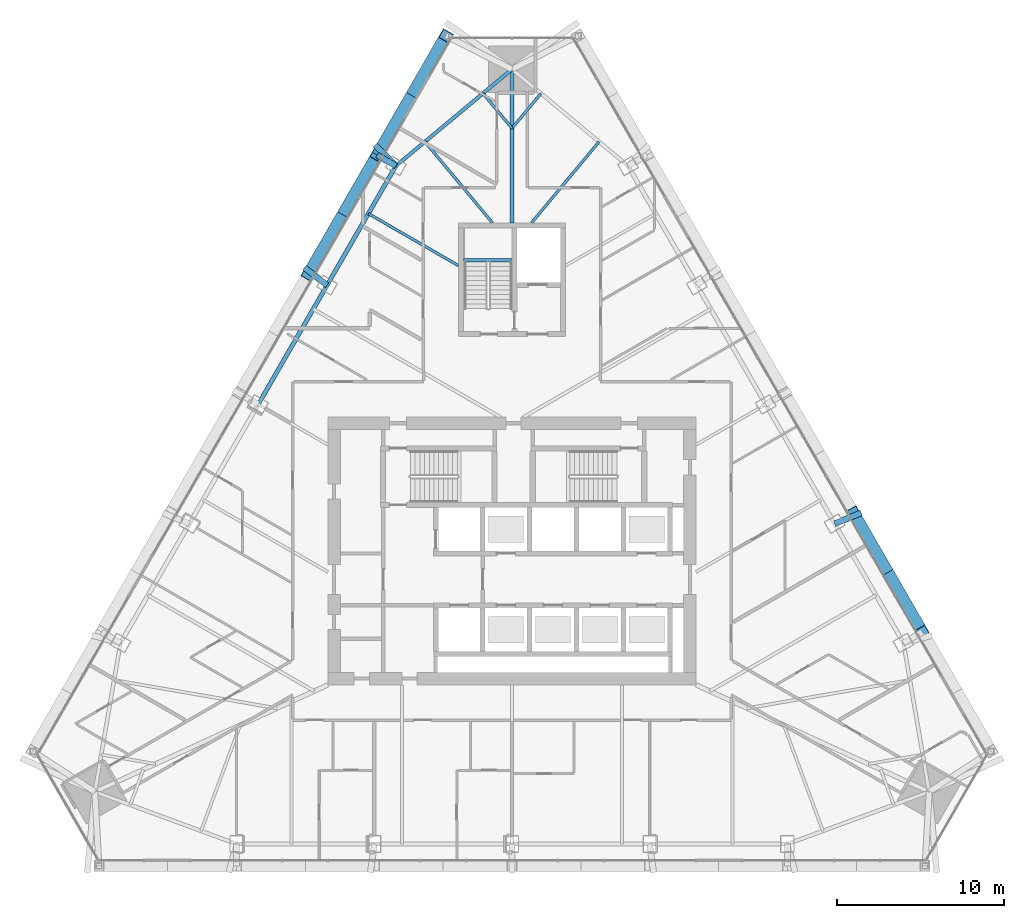
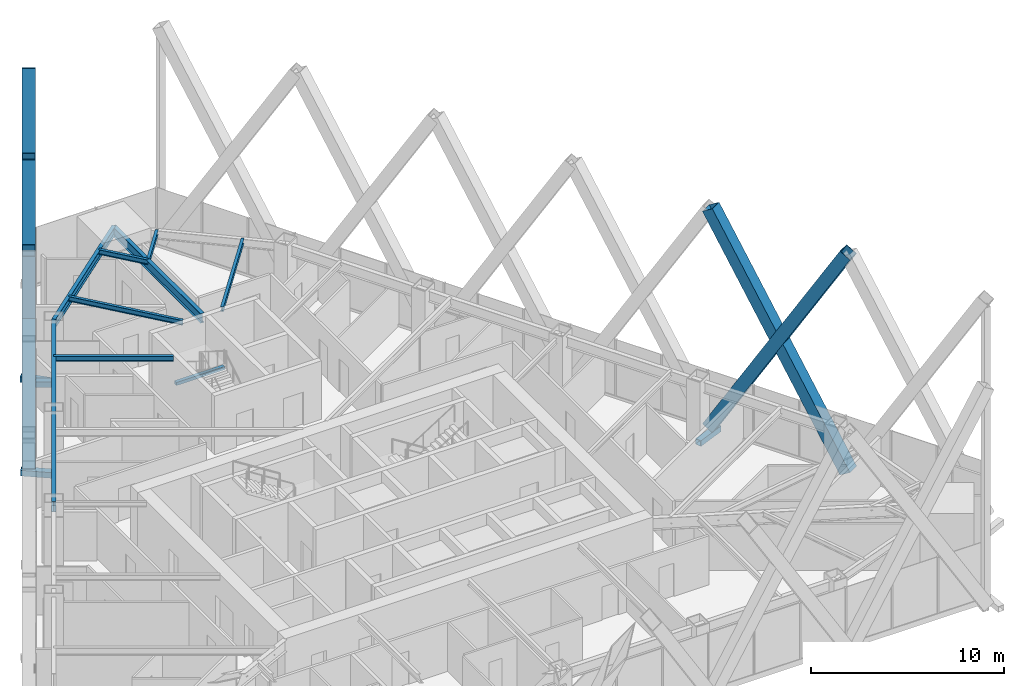
# One storey, part 10 of 19: 10 members, 9 beams.
"""IFC4 building model written with IfcOpenShell, lengths in metres."""

from ifc_helpers import new_model, si_unit, direction, frame, origin, origin_2d, place, context, subcontext, project, spatial, rectangle, hollow_rectangle, i_section, extrude, material, material_profile, profile_set, type_object, element, save


model = new_model("IFC4")

# Units and contexts
model_context = context("Model", 3, precision=1e-05, world=origin(), true_north=direction((0.0, 1.0)))
body_context = subcontext(model_context, "Body", "Model", "MODEL_VIEW")
ifc_project = project(units=[si_unit("LENGTHUNIT", "METRE"), si_unit("AREAUNIT", "SQUARE_METRE"), si_unit("VOLUMEUNIT", "CUBIC_METRE"), si_unit("PLANEANGLEUNIT", "RADIAN"), si_unit("MASSUNIT", "GRAM", prefix="KILO")], contexts=[model_context])

# Site, building, storey
site_placement = place(None, origin())
site = spatial("IfcSite", under=ifc_project, at=site_placement, CompositionType="ELEMENT")
building_placement = place(site_placement, origin())
building = spatial("IfcBuilding", under=site, at=building_placement, Name="Firuza Gate Tower and Library", CompositionType="ELEMENT")
storey_placement = place(building_placement, frame((0.0, 0.0, 233.800048828125)))
storey = spatial("IfcBuildingStorey", under=building, at=storey_placement, Name="L55", CompositionType="ELEMENT", Elevation=233.800048828125)

# Members
ifc_material_1 = material(Name="Steel S355", Category="steel")
ifc_material_profile_1 = material_profile(ifc_material_1, hollow_rectangle(XDim=0.699951171875, YDim=0.699951171875, WallThickness=0.030029296875, at=origin_2d()))
ifc_profile_set_1 = profile_set([ifc_material_profile_1], Name="Steel S355")
member_type_1 = type_object("IfcMemberType", Name="BU700x700x30 Lattice brace", PredefinedType="BRACE", material=ifc_profile_set_1)
for number, where, z_axis, x_axis, name in (
    (1, (99.51025390625, 70.155029296875, 0.0), (-0.256001119482, 0.443405002033, 0.858985116865), (-0.866024454709, -0.500001643842, 0.0), "Lattice brace E 13.2R"),
    (2, (95.3974609375, 77.278564453125, 0.0), (0.256001119482, -0.443405002033, 0.858985116865), (0.866024454709, 0.500001643842, 0.0), "Lattice brace E 13.2L"),
    (3, (71.0537109375, 105.772705078125, 0.0), (-0.256001119482, -0.443405002033, 0.858985116865), (0.866024454709, -0.500001643842, 0.0), "Lattice brace W 13.1R"),
    (4, (66.94091796875, 98.649169921875, 0.0), (0.256001119482, 0.443405002033, 0.858985116865), (-0.866024454709, 0.500001643842, 0.0), "Lattice brace W 13.1L"),
    (5, (66.94091796875, 98.649169921875, 0.0), (-0.256001119482, -0.443405002033, 0.858985116865), (0.866024454709, -0.500001643842, 0.0), "Lattice brace W 13.2R"),
    (6, (62.828125, 91.525634765625, 0.0), (0.256001119482, 0.443405002033, 0.858985116865), (-0.866024454709, 0.500001643842, 0.0), "Lattice brace W 13.2L"),
):
    element("IfcMember", number, at=place(storey_placement, frame(where, z_axis=z_axis, x_axis=x_axis)), inside=storey, type_object=member_type_1, Name=name, PredefinedType="BRACE", context=body_context, shape_type="SweptSolid", body=[
        extrude(hollow_rectangle(XDim=0.699951171875, YDim=0.699951171875, WallThickness=0.030029296875, at=origin_2d()), origin(), (0.0, 0.0, 1.0), 16.0654296875),
    ])
ifc_material_2 = material(Name="Steel S355", Category="steel")
ifc_material_profile_2 = material_profile(ifc_material_2, hollow_rectangle(XDim=0.355712890625, YDim=0.355712890625, WallThickness=0.014892578125, at=origin_2d()))
ifc_profile_set_2 = profile_set([ifc_material_profile_2], Name="Steel S355")
member_type_2 = type_object("IfcMemberType", Name="HSS356x356x16 Lattice node tie", PredefinedType="BRACE", material=ifc_profile_set_2)
for number, where, z_axis, x_axis, name in (
    (7, (94.271728515625, 76.62841796875, -0.320068359375), (0.925269902354, 0.379309382692, 0.0), (-0.379309382692, 0.925269902354, 0.0), "Lattice node tie E L55 295"),
    (8, (63.953857421875, 90.87548828125, -0.320068359375), (-0.791059417133, 0.611739322396, 0.0), (-0.611739322396, -0.791059417133, 0.0), "Lattice node tie W L55 317"),
):
    element("IfcMember", number, at=place(storey_placement, frame(where, z_axis=z_axis, x_axis=x_axis)), inside=storey, type_object=member_type_2, Name=name, PredefinedType="BRACE", context=body_context, shape_type="SweptSolid", body=[
        extrude(hollow_rectangle(XDim=0.355712890625, YDim=0.355712890625, WallThickness=0.014892578125, at=origin_2d()), origin(), (0.0, 0.0, 1.0), 1.714111328125),
    ])
member_1_placement = place(storey_placement, frame((68.066650390625, 97.9990234375, -0.320068359375), z_axis=(-0.705161901246, 0.709046326435, 0.0), x_axis=(-0.709046326435, -0.705161901246, 0.0)))
element("IfcMember", 9, at=member_1_placement, inside=storey, type_object=member_type_2, Name="Lattice node tie W L55 318", PredefinedType="BRACE", context=body_context, shape_type="SweptSolid", body=[
    extrude(hollow_rectangle(XDim=0.355712890625, YDim=0.355712890625, WallThickness=0.014892578125, at=origin_2d()), origin(), (0.0, 0.0, 1.0), 1.759765625),
])
member_2_placement = place(storey_placement, frame((68.066650390625, 97.9990234375, -0.320068359375), z_axis=(-0.86595725628, 0.500118016368, 0.0), x_axis=(-0.500118016368, -0.86595725628, 0.0)))
element("IfcMember", 10, at=member_2_placement, inside=storey, type_object=member_type_2, Name="Lattice node tie W L55 319", PredefinedType="BRACE", context=body_context, shape_type="SweptSolid", body=[
    extrude(hollow_rectangle(XDim=0.355712890625, YDim=0.355712890625, WallThickness=0.014892578125, at=origin_2d()), origin(), (0.0, 0.0, 1.0), 1.300048828125),
])

# Beams
ifc_material_3 = material(Name="Concrete C35/45", Category="concrete")
ifc_material_profile_3 = material_profile(ifc_material_3, rectangle(XDim=0.199951171875, YDim=0.199951171875, at=origin_2d()))
ifc_profile_set_3 = profile_set([ifc_material_profile_3], Name="Concrete C35/45")
beam_type_1 = type_object("IfcBeamType", Name="Stair landing bearer 200x200", PredefinedType="BEAM", material=ifc_profile_set_3)
beam_1_placement = place(storey_placement, frame((75.0, 92.3701171875, 1.64990234375), z_axis=(-1.0, 0.0, 0.0), x_axis=(0.0, -1.0, 0.0)))
element("IfcBeam", 11, at=beam_1_placement, inside=storey, type_object=beam_type_1, Name="Landing bearer L55 stair 3", PredefinedType="BEAM", context=body_context, shape_type="SweptSolid", body=[
    extrude(rectangle(XDim=0.199951171875, YDim=0.199951171875, at=origin_2d()), origin(), (0.0, 0.0, 1.0), 2.89990234375),
])
ifc_material_4 = material(Name="Steel S355", Category="steel")
ifc_material_profile_4 = material_profile(ifc_material_4, i_section(OverallWidth=0.1650390625, OverallDepth=0.31005859375, WebThickness=0.005859375, FlangeThickness=0.009765625, at=origin_2d()))
ifc_profile_set_4 = profile_set([ifc_material_profile_4], Name="Steel S355")
beam_type_2 = type_object("IfcBeamType", Name="W310x39 Floor beam", PredefinedType="JOIST", material=ifc_profile_set_4)
beam_2_placement = place(storey_placement, frame((80.199951171875, 99.4423828125, 3.544921875), z_axis=(-0.639902348182, -0.768456234793, 0.0), x_axis=(0.768456234793, -0.639902348182, 0.0)))
element("IfcBeam", 12, at=beam_2_placement, inside=storey, type_object=beam_type_2, Name="Floor beam L55 s60", PredefinedType="JOIST", context=body_context, shape_type="SweptSolid", body=[
    extrude(i_section(OverallWidth=0.1650390625, OverallDepth=0.31005859375, WebThickness=0.005859375, FlangeThickness=0.009765625, at=origin_2d()), origin(), (0.0, 0.0, 1.0), 6.30126953125),
])
for number, where, z_axis, x_axis, name in (
    (13, (76.7333984375, 102.3291015625, 3.544921875), (-0.639918405833, -0.768442863117, 0.0), (0.768442863117, -0.639918405833, 0.0), "Floor beam L55 s61"),
    (14, (73.2666015625, 102.3291015625, 3.544921875), (0.639918405833, -0.768442863117, 0.0), (0.768442863117, 0.639918405833, 0.0), "Floor beam L55 s70"),
):
    element("IfcBeam", number, at=place(storey_placement, frame(where, z_axis=z_axis, x_axis=x_axis)), inside=storey, type_object=beam_type_2, Name=name, PredefinedType="JOIST", context=body_context, shape_type="SweptSolid", body=[
        extrude(i_section(OverallWidth=0.1650390625, OverallDepth=0.31005859375, WebThickness=0.005859375, FlangeThickness=0.009765625, at=origin_2d()), origin(), (0.0, 0.0, 1.0), 2.708740234375),
    ])
beam_3_placement = place(storey_placement, frame((69.800048828125, 99.4423828125, 3.544921875), z_axis=(0.639902348182, -0.768456234793, 0.0), x_axis=(0.768456234793, 0.639902348182, 0.0)))
element("IfcBeam", 15, at=beam_3_placement, inside=storey, type_object=beam_type_2, Name="Floor beam L55 s71", PredefinedType="JOIST", context=body_context, shape_type="SweptSolid", body=[
    extrude(i_section(OverallWidth=0.1650390625, OverallDepth=0.31005859375, WebThickness=0.005859375, FlangeThickness=0.009765625, at=origin_2d()), origin(), (0.0, 0.0, 1.0), 6.30126953125),
])
beam_4_placement = place(storey_placement, frame((66.421630859375, 95.149658203125, 3.544921875), z_axis=(0.866025853686, -0.499999220746, 0.0), x_axis=(0.499999220746, 0.866025853686, 0.0)))
element("IfcBeam", 16, at=beam_4_placement, inside=storey, type_object=beam_type_2, Name="Floor beam L55 s80", PredefinedType="JOIST", context=body_context, shape_type="SweptSolid", body=[
    extrude(i_section(OverallWidth=0.1650390625, OverallDepth=0.31005859375, WebThickness=0.005859375, FlangeThickness=0.009765625, at=origin_2d()), origin(), (0.0, 0.0, 1.0), 6.21044921875),
])
ifc_material_5 = material(Name="Steel S355", Category="steel")
ifc_material_profile_5 = material_profile(ifc_material_5, i_section(OverallWidth=0.212890625, OverallDepth=0.5390625, WebThickness=0.01171875, FlangeThickness=0.018798828125, at=origin_2d()))
ifc_profile_set_5 = profile_set([ifc_material_profile_5], Name="Steel S355")
beam_type_3 = type_object("IfcBeamType", Name="W530x109 Edge beam", PredefinedType="SPANDREL", material=ifc_profile_set_5)
beam_5_placement = place(storey_placement, frame((75.0, 103.772705078125, 3.430419921875), z_axis=(-0.768445244638, -0.639915545985, 0.0), x_axis=(0.639915545985, -0.768445244638, 0.0)))
element("IfcBeam", 17, at=beam_5_placement, inside=storey, type_object=beam_type_3, Name="Edge beam L55 e70", PredefinedType="SPANDREL", context=body_context, shape_type="SweptSolid", body=[
    extrude(i_section(OverallWidth=0.212890625, OverallDepth=0.5390625, WebThickness=0.01171875, FlangeThickness=0.018798828125, at=origin_2d()), origin(), (0.0, 0.0, 1.0), 9.0224609375),
])
ifc_material_6 = material(Name="Steel S355", Category="steel")
ifc_material_profile_6 = material_profile(ifc_material_6, i_section(OverallWidth=0.22802734375, OverallDepth=0.60302734375, WebThickness=0.010498046875, FlangeThickness=0.014892578125, at=origin_2d()))
ifc_profile_set_6 = profile_set([ifc_material_profile_6], Name="Steel S355")
beam_type_4 = type_object("IfcBeamType", Name="W610x101 Girder", PredefinedType="BEAM", material=ifc_profile_set_6)
beam_6_placement = place(storey_placement, frame((75.0, 103.772705078125, 3.3984375), z_axis=(0.0, -1.0, 0.0), x_axis=(1.0, 0.0, 0.0)))
element("IfcBeam", 18, at=beam_6_placement, inside=storey, type_object=beam_type_4, Name="Girder L55 gN", PredefinedType="BEAM", context=body_context, shape_type="SweptSolid", body=[
    extrude(i_section(OverallWidth=0.22802734375, OverallDepth=0.60302734375, WebThickness=0.010498046875, FlangeThickness=0.014892578125, at=origin_2d()), origin(), (0.0, 0.0, 1.0), 9.172607421875),
])
ifc_material_7 = material(Name="Steel S355", Category="steel")
ifc_material_profile_7 = material_profile(ifc_material_7, i_section(OverallWidth=0.2529296875, OverallDepth=0.677978515625, WebThickness=0.01171875, FlangeThickness=0.016357421875, at=origin_2d()))
ifc_profile_set_7 = profile_set([ifc_material_profile_7], Name="Steel S355")
beam_type_5 = type_object("IfcBeamType", Name="W690x125 Edge beam", PredefinedType="SPANDREL", material=ifc_profile_set_7)
beam_7_placement = place(storey_placement, frame((68.066650390625, 97.9990234375, 3.36083984375), z_axis=(-0.500001643842, -0.866024454709, 0.0), x_axis=(0.866024454709, -0.500001643842, 0.0)))
element("IfcBeam", 19, at=beam_7_placement, inside=storey, type_object=beam_type_5, Name="Edge beam L55 e80", PredefinedType="SPANDREL", context=body_context, shape_type="SweptSolid", body=[
    extrude(i_section(OverallWidth=0.2529296875, OverallDepth=0.677978515625, WebThickness=0.01171875, FlangeThickness=0.016357421875, at=origin_2d()), origin(), (0.0, 0.0, 1.0), 16.451171875),
])

save(model, "model.ifc")
